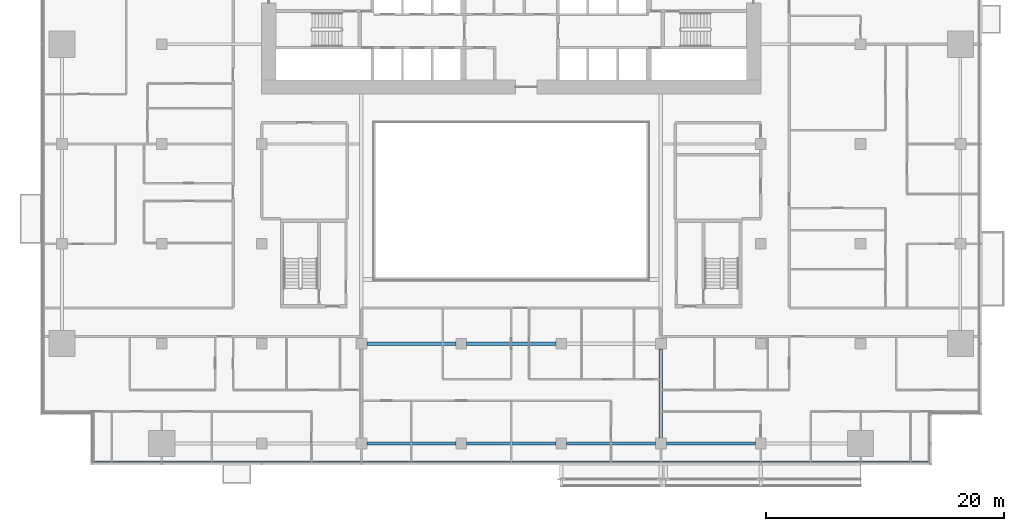
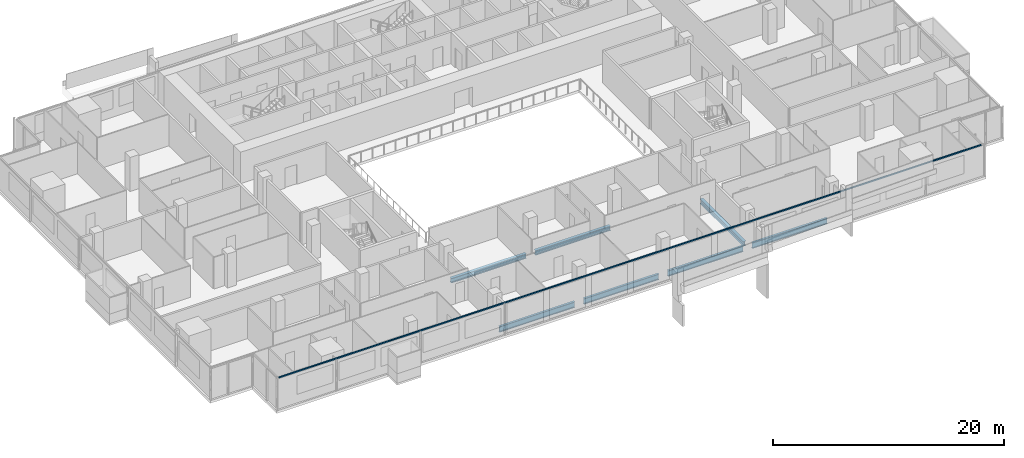
# One storey, part 5 of 27: 7 beams, 1 member, 1 element without a shape of its own.
"""IFC4 building model written with IfcOpenShell, lengths in metres."""

from ifc_helpers import new_model, si_unit, direction, frame, origin, origin_2d, place, context, subcontext, project, spatial, rectangle, i_section, extrude, material, material_profile, profile_set, type_object, element, aggregate, save


model = new_model("IFC4")

# Units and contexts
model_context = context("Model", 3, precision=1e-05, world=origin(), true_north=direction((0.0, 1.0)))
body_context = subcontext(model_context, "Body", "Model", "MODEL_VIEW")
ifc_project = project(units=[si_unit("LENGTHUNIT", "METRE"), si_unit("AREAUNIT", "SQUARE_METRE"), si_unit("VOLUMEUNIT", "CUBIC_METRE"), si_unit("PLANEANGLEUNIT", "RADIAN"), si_unit("MASSUNIT", "GRAM", prefix="KILO")], contexts=[model_context])

# Site, building, storey
site_placement = place(None, origin())
site = spatial("IfcSite", under=ifc_project, at=site_placement, CompositionType="ELEMENT")
building_placement = place(site_placement, origin())
building = spatial("IfcBuilding", under=site, at=building_placement, Name="Saffron Gate Tower", CompositionType="ELEMENT")
storey_placement = place(building_placement, frame((0.0, 0.0, 66.0)))
storey = spatial("IfcBuildingStorey", under=building, at=storey_placement, Name="L15", CompositionType="ELEMENT", Elevation=66.0)

# Beams
ifc_material_1 = material(Name="Structural steel S355", Category="steel")
ifc_material_profile_1 = material_profile(ifc_material_1, i_section(OverallWidth=0.219970703125, OverallDepth=0.60009765625, WebThickness=0.011962890625, FlangeThickness=0.01904296875, FilletRadius=0.02392578125, at=origin_2d()))
ifc_profile_set_1 = profile_set([ifc_material_profile_1], Name="Structural steel S355")
beam_type_1 = type_object("IfcBeamType", Name="B16 IPE 600", PredefinedType="SPANDREL", material=ifc_profile_set_1)
for number, where, z_axis, x_axis, name in (
    (1, (75.449951171875, 31.800048828125, -0.580078125), (1.0, 0.0, 0.0), (0.0, 1.0, 0.0), "B16 SPANDREL BEAM"),
    (2, (83.85009765625, 31.800048828125, -0.580078125), (1.0, 0.0, 0.0), (0.0, 1.0, 0.0), "B16 SPANDREL BEAM"),
    (3, (92.25, 31.800048828125, -0.580078125), (1.0, 0.0, 0.0), (0.0, 1.0, 0.0), "B16 SPANDREL BEAM"),
    (4, (100.64990234375, 31.800048828125, -0.580078125), (1.0, 0.0, 0.0), (0.0, 1.0, 0.0), "B16 SPANDREL BEAM"),
):
    element("IfcBeam", number, at=place(storey_placement, frame(where, z_axis=z_axis, x_axis=x_axis)), inside=storey, type_object=beam_type_1, Name=name, PredefinedType="SPANDREL", context=body_context, shape_type="SweptSolid", body=[
        extrude(i_section(OverallWidth=0.219970703125, OverallDepth=0.60009765625, WebThickness=0.011962890625, FlangeThickness=0.01904296875, FilletRadius=0.02392578125, at=origin_2d()), origin(), (0.0, 0.0, 1.0), 7.5),
    ])
ifc_material_profile_2 = material_profile(ifc_material_1, i_section(OverallWidth=0.300048828125, OverallDepth=0.489990234375, WebThickness=0.011962890625, FlangeThickness=0.02294921875, FilletRadius=0.027099609375, at=origin_2d()))
ifc_profile_set_2 = profile_set([ifc_material_profile_2], Name="Structural steel S355")
beam_type_2 = type_object("IfcBeamType", Name="B8 HEA 500", PredefinedType="BEAM", material=ifc_profile_set_2)
for number, where, z_axis, x_axis, name in (
    (5, (100.199951171875, 32.25, -0.52490234375), (0.0, 1.0, 0.0), (-1.0, 0.0, 0.0), "B8 FLOOR GIRDER"),
    (6, (75.449951171875, 40.199951171875, -0.52490234375), (1.0, 0.0, 0.0), (0.0, 1.0, 0.0), "B8 FLOOR GIRDER"),
    (7, (83.85009765625, 40.199951171875, -0.52490234375), (1.0, 0.0, 0.0), (0.0, 1.0, 0.0), "B8 FLOOR GIRDER"),
):
    element("IfcBeam", number, at=place(storey_placement, frame(where, z_axis=z_axis, x_axis=x_axis)), inside=storey, type_object=beam_type_2, Name=name, PredefinedType="BEAM", context=body_context, shape_type="SweptSolid", body=[
        extrude(i_section(OverallWidth=0.300048828125, OverallDepth=0.489990234375, WebThickness=0.011962890625, FlangeThickness=0.02294921875, FilletRadius=0.027099609375, at=origin_2d()), origin(), (0.0, 0.0, 1.0), 7.5),
    ])

# Curtain wall, member
ifc_material_2 = material(Name="Aluminium, bronze anodised", Category="aluminium")
curtain_wall_type = type_object("IfcCurtainWallType", Name="CWS1 curtain wall front facade", PredefinedType="NOTDEFINED", material=ifc_material_2)
curtain_wall_placement = place(storey_placement, origin())
curtain_wall = element("IfcCurtainWall", 8, at=curtain_wall_placement, inside=storey, type_object=curtain_wall_type, Name="CWS1 run 1", PredefinedType="NOTDEFINED")
ifc_material_profile_3 = material_profile(ifc_material_2, rectangle(XDim=0.1201171875, YDim=0.1201171875, at=origin_2d()))
ifc_profile_set_3 = profile_set([ifc_material_profile_3], Name="Aluminium, bronze anodised")
member_type = type_object("IfcMemberType", Name="CWS1 head transom", PredefinedType="USERDEFINED", material=ifc_profile_set_3)
member_placement = place(storey_placement, frame((52.568115234375, 30.248046875, 3.260009765625), z_axis=(1.0, 0.0, 0.0), x_axis=(0.0, 1.0, 0.0)))
member = element("IfcMember", 9, at=member_placement, type_object=member_type, Name="CWS1 head transom", ObjectType="TRANSOM", PredefinedType="USERDEFINED", context=body_context, shape_type="SweptSolid", body=[
    extrude(rectangle(XDim=0.1201171875, YDim=0.1201171875, at=origin_2d()), origin(), (0.0, 0.0, 1.0), 70.06396484375),
])
aggregate(curtain_wall, [member])

save(model, "model.ifc")
